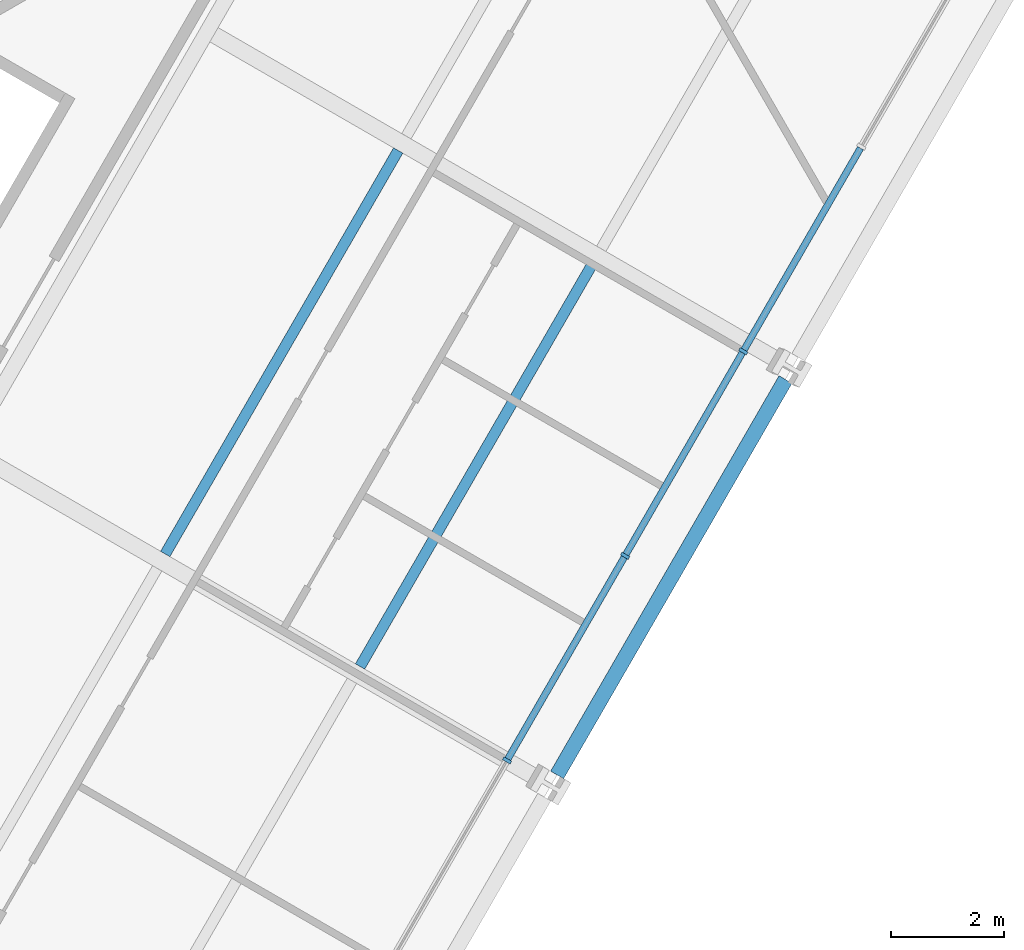
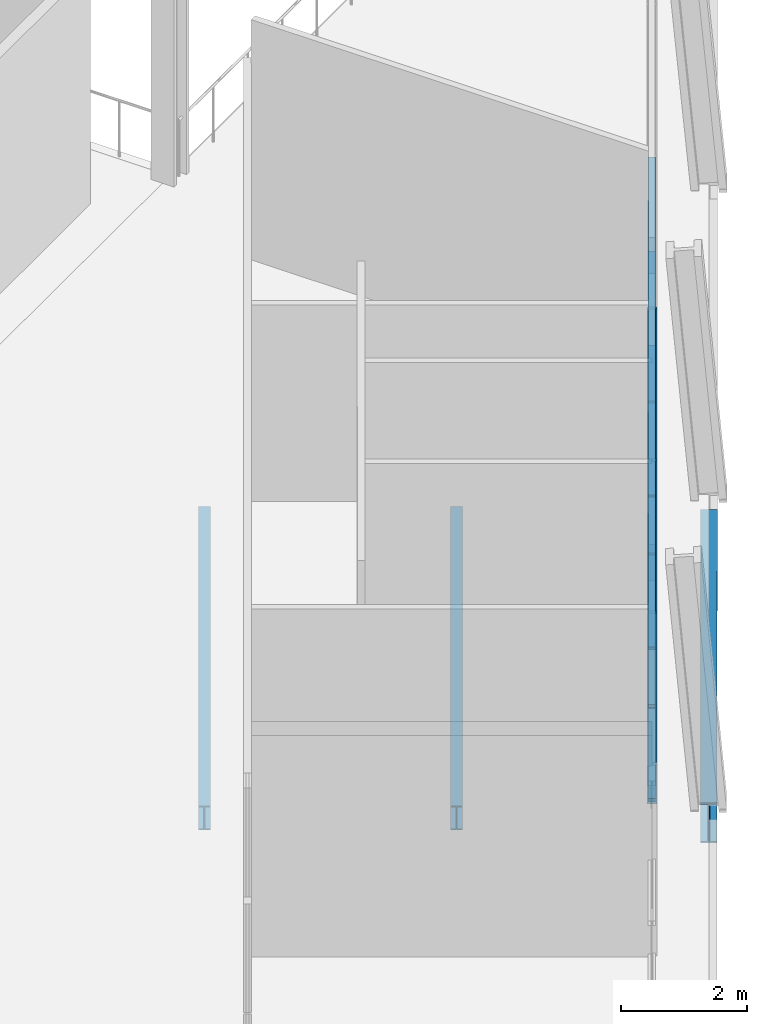
# One storey, part 5 of 18: 12 members, 3 beams, 1 element without a shape of its own.
"""IFC4 building model written with IfcOpenShell, lengths in metres."""

from ifc_helpers import new_model, si_unit, direction, frame, origin, origin_2d, place, context, subcontext, project, spatial, rectangle, i_section, extrude, material, layer, layer_set, material_profile, profile_set, type_object, element, aggregate, save


model = new_model("IFC4")

# Units and contexts
model_context = context("Model", 3, precision=1e-05, world=origin(), true_north=direction((0.0, 1.0)))
body_context = subcontext(model_context, "Body", "Model", "MODEL_VIEW")
ifc_project = project(units=[si_unit("LENGTHUNIT", "METRE"), si_unit("AREAUNIT", "SQUARE_METRE"), si_unit("VOLUMEUNIT", "CUBIC_METRE"), si_unit("PLANEANGLEUNIT", "RADIAN"), si_unit("MASSUNIT", "GRAM", prefix="KILO")], contexts=[model_context])

# Site, building, storey
site_placement = place(None, origin())
site = spatial("IfcSite", under=ifc_project, at=site_placement, CompositionType="ELEMENT")
building_placement = place(site_placement, origin())
building = spatial("IfcBuilding", under=site, at=building_placement, Name="Verrane Prism Tower", CompositionType="ELEMENT")
storey_placement = place(building_placement, frame((0.0, 0.0, 32.0)))
storey = spatial("IfcBuildingStorey", under=building, at=storey_placement, Name="L05", CompositionType="ELEMENT", Elevation=32.0)

# Curtain wall, members
ifc_material_1 = material(Name="Aluminium and glass curtain wall", Category="aluminium")
ifc_layer = layer(ifc_material_1, 0.199951171875)
ifc_layer_set = layer_set([ifc_layer], Name="CWB-1 retail curtain wall")
curtain_wall_type = type_object("IfcCurtainWallType", Name="CWB-1 retail curtain wall", PredefinedType="NOTDEFINED", material=ifc_layer_set)
curtain_wall_placement = place(storey_placement, origin())
curtain_wall = element("IfcCurtainWall", 1, at=curtain_wall_placement, inside=storey, type_object=curtain_wall_type, Name="Retail curtain wall L05 6", PredefinedType="NOTDEFINED")
ifc_material_2 = material(Name="Aluminium", Category="aluminium")
ifc_material_profile_1 = material_profile(ifc_material_2, rectangle(XDim=0.159912109375, YDim=0.06005859375, at=origin_2d()), Name="CWB-M 60x160 mullion")
ifc_profile_set_1 = profile_set([ifc_material_profile_1], Name="Aluminium")
member_type_1 = type_object("IfcMemberType", Name="CWB-M 60x160 mullion", PredefinedType="MULLION", material=ifc_profile_set_1)
member_1_placement = place(storey_placement, frame((17.554443359375, -10.135009765625, 0.0), z_axis=(0.0, 0.0, 1.0), x_axis=(-0.866025335097, 0.50000011897, 0.0)))
member_1 = element("IfcMember", 2, at=member_1_placement, type_object=member_type_1, Name="CWB56 mullion 7", PredefinedType="MULLION", context=body_context, shape_type="SweptSolid", body=[
    extrude(rectangle(XDim=0.159912109375, YDim=0.06005859375, at=origin_2d()), origin(), (0.0, 0.0, 1.0), 3.68994140625),
])
member_2_placement = place(storey_placement, frame((19.64990234375, -6.505126953125, 0.0), z_axis=(0.0, 0.0, 1.0), x_axis=(-0.866025335097, 0.50000011897, 0.0)))
member_2 = element("IfcMember", 3, at=member_2_placement, type_object=member_type_1, Name="CWB56 mullion 8", PredefinedType="MULLION", context=body_context, shape_type="SweptSolid", body=[
    extrude(rectangle(XDim=0.159912109375, YDim=0.06005859375, at=origin_2d()), origin(), (0.0, 0.0, 1.0), 3.68994140625),
])
member_3_placement = place(storey_placement, frame((21.74560546875, -2.87548828125, 0.0), z_axis=(0.0, 0.0, 1.0), x_axis=(-0.866025335097, 0.50000011897, 0.0)))
member_3 = element("IfcMember", 4, at=member_3_placement, type_object=member_type_1, Name="CWB56 mullion 9", PredefinedType="MULLION", context=body_context, shape_type="SweptSolid", body=[
    extrude(rectangle(XDim=0.159912109375, YDim=0.06005859375, at=origin_2d()), origin(), (0.0, 0.0, 1.0), 3.68994140625),
])
ifc_material_3 = material(Name="Aluminium", Category="aluminium")
ifc_material_profile_2 = material_profile(ifc_material_3, rectangle(XDim=0.1201171875, YDim=0.06005859375, at=origin_2d()), Name="CWB-T 60x120 transom")
ifc_profile_set_2 = profile_set([ifc_material_profile_2], Name="Aluminium")
member_type_2 = type_object("IfcMemberType", Name="CWB-T 60x120 transom", PredefinedType="USERDEFINED", material=ifc_profile_set_2)
member_4_placement = place(storey_placement, frame((17.5693359375, -10.109130859375, 0.030029296875), z_axis=(0.499996977546, 0.866027148792, 0.0), x_axis=(-0.866027148792, 0.499996977546, 0.0)))
member_4 = element("IfcMember", 5, at=member_4_placement, type_object=member_type_2, Name="CWB56 transom 7.1", ObjectType="TRANSOM", PredefinedType="USERDEFINED", context=body_context, shape_type="SweptSolid", body=[
    extrude(rectangle(XDim=0.1201171875, YDim=0.06005859375, at=origin_2d()), origin(), (0.0, 0.0, 1.0), 4.13134765625),
])
member_5_placement = place(storey_placement, frame((17.5693359375, -10.109130859375, 1.844970703125), z_axis=(0.499996977546, 0.866027148792, 0.0), x_axis=(-0.866027148792, 0.499996977546, 0.0)))
member_5 = element("IfcMember", 6, at=member_5_placement, type_object=member_type_2, Name="CWB56 transom 7.2", ObjectType="TRANSOM", PredefinedType="USERDEFINED", context=body_context, shape_type="SweptSolid", body=[
    extrude(rectangle(XDim=0.1201171875, YDim=0.06005859375, at=origin_2d()), origin(), (0.0, 0.0, 1.0), 4.13134765625),
])
member_6_placement = place(storey_placement, frame((17.5693359375, -10.109130859375, 3.659912109375), z_axis=(0.499996977546, 0.866027148792, 0.0), x_axis=(-0.866027148792, 0.499996977546, 0.0)))
member_6 = element("IfcMember", 7, at=member_6_placement, type_object=member_type_2, Name="CWB56 transom 7.3", ObjectType="TRANSOM", PredefinedType="USERDEFINED", context=body_context, shape_type="SweptSolid", body=[
    extrude(rectangle(XDim=0.1201171875, YDim=0.06005859375, at=origin_2d()), origin(), (0.0, 0.0, 1.0), 4.13134765625),
])
member_7_placement = place(storey_placement, frame((19.6650390625, -6.479248046875, 0.030029296875), z_axis=(0.499996977546, 0.866027148792, 0.0), x_axis=(-0.866027148792, 0.499996977546, 0.0)))
member_7 = element("IfcMember", 8, at=member_7_placement, type_object=member_type_2, Name="CWB56 transom 8.1", ObjectType="TRANSOM", PredefinedType="USERDEFINED", context=body_context, shape_type="SweptSolid", body=[
    extrude(rectangle(XDim=0.1201171875, YDim=0.06005859375, at=origin_2d()), origin(), (0.0, 0.0, 1.0), 4.13134765625),
])
member_8_placement = place(storey_placement, frame((19.6650390625, -6.479248046875, 1.844970703125), z_axis=(0.499996977546, 0.866027148792, 0.0), x_axis=(-0.866027148792, 0.499996977546, 0.0)))
member_8 = element("IfcMember", 9, at=member_8_placement, type_object=member_type_2, Name="CWB56 transom 8.2", ObjectType="TRANSOM", PredefinedType="USERDEFINED", context=body_context, shape_type="SweptSolid", body=[
    extrude(rectangle(XDim=0.1201171875, YDim=0.06005859375, at=origin_2d()), origin(), (0.0, 0.0, 1.0), 4.13134765625),
])
member_9_placement = place(storey_placement, frame((19.6650390625, -6.479248046875, 3.659912109375), z_axis=(0.499996977546, 0.866027148792, 0.0), x_axis=(-0.866027148792, 0.499996977546, 0.0)))
member_9 = element("IfcMember", 10, at=member_9_placement, type_object=member_type_2, Name="CWB56 transom 8.3", ObjectType="TRANSOM", PredefinedType="USERDEFINED", context=body_context, shape_type="SweptSolid", body=[
    extrude(rectangle(XDim=0.1201171875, YDim=0.06005859375, at=origin_2d()), origin(), (0.0, 0.0, 1.0), 4.13134765625),
])
member_10_placement = place(storey_placement, frame((21.7607421875, -2.849365234375, 0.030029296875), z_axis=(0.500022567122, 0.866012374259, 0.0), x_axis=(-0.866012374259, 0.500022567122, 0.0)))
member_10 = element("IfcMember", 11, at=member_10_placement, type_object=member_type_2, Name="CWB56 transom 9.1", ObjectType="TRANSOM", PredefinedType="USERDEFINED", context=body_context, shape_type="SweptSolid", body=[
    extrude(rectangle(XDim=0.1201171875, YDim=0.06005859375, at=origin_2d()), origin(), (0.0, 0.0, 1.0), 4.131103515625),
])
member_11_placement = place(storey_placement, frame((21.7607421875, -2.849365234375, 1.844970703125), z_axis=(0.500022567122, 0.866012374259, 0.0), x_axis=(-0.866012374259, 0.500022567122, 0.0)))
member_11 = element("IfcMember", 12, at=member_11_placement, type_object=member_type_2, Name="CWB56 transom 9.2", ObjectType="TRANSOM", PredefinedType="USERDEFINED", context=body_context, shape_type="SweptSolid", body=[
    extrude(rectangle(XDim=0.1201171875, YDim=0.06005859375, at=origin_2d()), origin(), (0.0, 0.0, 1.0), 4.131103515625),
])
member_12_placement = place(storey_placement, frame((21.7607421875, -2.849365234375, 3.659912109375), z_axis=(0.500022567122, 0.866012374259, 0.0), x_axis=(-0.866012374259, 0.500022567122, 0.0)))
member_12 = element("IfcMember", 13, at=member_12_placement, type_object=member_type_2, Name="CWB56 transom 9.3", ObjectType="TRANSOM", PredefinedType="USERDEFINED", context=body_context, shape_type="SweptSolid", body=[
    extrude(rectangle(XDim=0.1201171875, YDim=0.06005859375, at=origin_2d()), origin(), (0.0, 0.0, 1.0), 4.131103515625),
])
aggregate(curtain_wall, [member_1, member_2, member_3, member_4, member_5, member_6, member_7, member_8, member_9, member_10, member_11, member_12])

# Beams
ifc_material_4 = material(Name="Steel A992", Category="steel")
ifc_material_profile_3 = material_profile(ifc_material_4, i_section(OverallWidth=0.1904296875, OverallDepth=0.457275390625, WebThickness=0.009033203125, FlangeThickness=0.014404296875, FilletRadius=0.01025390625, at=origin_2d()), Name="W18x50")
ifc_profile_set_3 = profile_set([ifc_material_profile_3], Name="Steel A992")
beam_type_1 = type_object("IfcBeamType", Name="Floor beam W18x50", PredefinedType="BEAM", material=ifc_profile_set_3)
beam_1_placement = place(storey_placement, frame((14.947021484375, -8.46875, -0.388671875), z_axis=(0.500007931068, 0.866020824732, 0.0), x_axis=(-0.866020824732, 0.500007931068, 0.0)))
element("IfcBeam", 14, at=beam_1_placement, inside=storey, type_object=beam_type_1, Name="Floor beam L05", PredefinedType="BEAM", context=body_context, shape_type="SweptSolid", body=[
    extrude(i_section(OverallWidth=0.1904296875, OverallDepth=0.457275390625, WebThickness=0.009033203125, FlangeThickness=0.014404296875, FilletRadius=0.01025390625, at=origin_2d()), origin(), (0.0, 0.0, 1.0), 8.266357421875),
])
beam_2_placement = place(storey_placement, frame((11.48974609375, -6.47314453125, -0.388671875), z_axis=(0.500010437756, 0.866019377459, 0.0), x_axis=(-0.866019377459, 0.500010437756, 0.0)))
element("IfcBeam", 15, at=beam_2_placement, inside=storey, type_object=beam_type_1, Name="Floor beam L05", PredefinedType="BEAM", context=body_context, shape_type="SweptSolid", body=[
    extrude(i_section(OverallWidth=0.1904296875, OverallDepth=0.457275390625, WebThickness=0.009033203125, FlangeThickness=0.014404296875, FilletRadius=0.01025390625, at=origin_2d()), origin(), (0.0, 0.0, 1.0), 8.267822265625),
])
ifc_material_5 = material(Name="Steel A992", Category="steel")
ifc_material_profile_4 = material_profile(ifc_material_5, i_section(OverallWidth=0.2666015625, OverallDepth=0.76708984375, WebThickness=0.014892578125, FlangeThickness=0.023681640625, FilletRadius=0.0166015625, at=origin_2d()), Name="W30x124")
ifc_profile_set_4 = profile_set([ifc_material_profile_4], Name="Steel A992")
beam_type_2 = type_object("IfcBeamType", Name="Spandrel beam W30x124", PredefinedType="SPANDREL", material=ifc_profile_set_4)
beam_3_placement = place(storey_placement, frame((18.443603515625, -10.39306640625, -0.54345703125), z_axis=(0.500183217764, 0.865919597115, 0.0), x_axis=(-0.865919597115, 0.500183217764, 0.0)))
element("IfcBeam", 16, at=beam_3_placement, inside=storey, type_object=beam_type_2, Name="Spandrel beam L05", PredefinedType="SPANDREL", context=body_context, shape_type="SweptSolid", body=[
    extrude(i_section(OverallWidth=0.2666015625, OverallDepth=0.76708984375, WebThickness=0.014892578125, FlangeThickness=0.023681640625, FilletRadius=0.0166015625, at=origin_2d()), origin(), (0.0, 0.0, 1.0), 8.1025390625),
])

save(model, "model.ifc")
